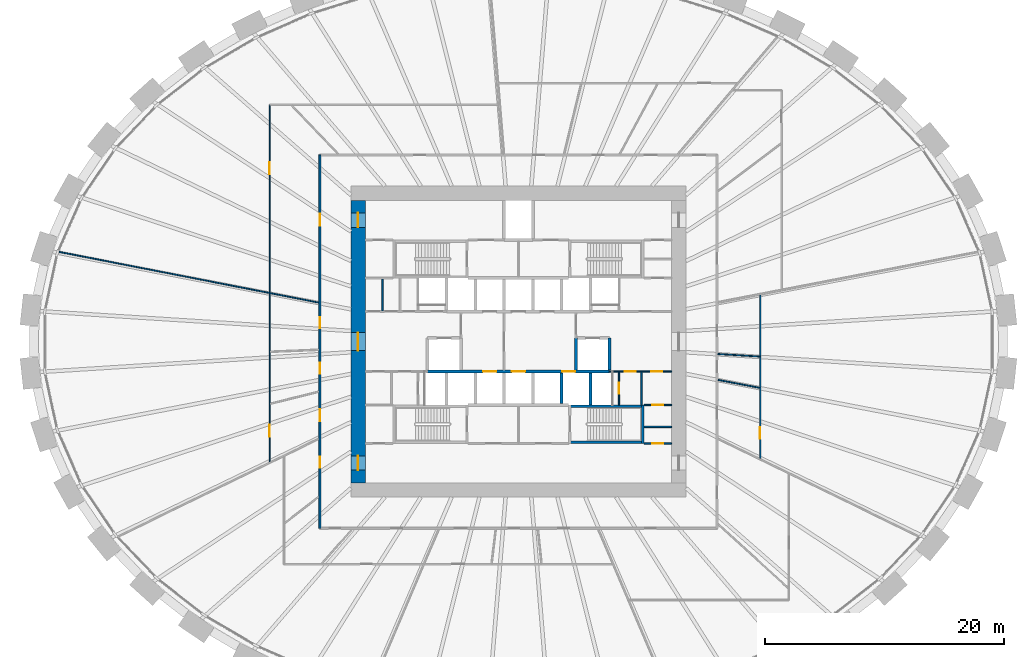
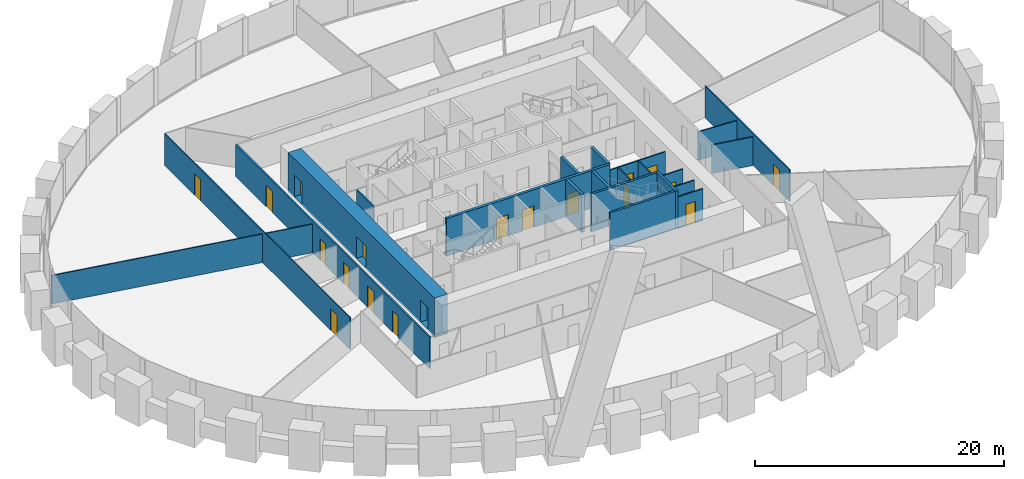
# One storey, part 7 of 11: 22 walls, 19 doors, 19 openings.
"""IFC4 building model written with IfcOpenShell, lengths in metres."""

from ifc_helpers import new_model, si_unit, direction, frame, frame_2d, origin, place, context, subcontext, project, spatial, rectangle, extrude, source, transform, mapped, material, layer, layer_set, type_object, element, fill, save


model = new_model("IFC4")

# Units and contexts
model_context = context("Model", 3, precision=1e-05, world=origin(), true_north=direction((0.0, 1.0)))
body_context = subcontext(model_context, "Body", "Model", "MODEL_VIEW")
ifc_project = project(units=[si_unit("LENGTHUNIT", "METRE"), si_unit("AREAUNIT", "SQUARE_METRE"), si_unit("VOLUMEUNIT", "CUBIC_METRE"), si_unit("PLANEANGLEUNIT", "RADIAN"), si_unit("MASSUNIT", "GRAM", prefix="KILO")], contexts=[model_context])

# Site, building, storey
site_placement = place(None, origin())
site = spatial("IfcSite", under=ifc_project, at=site_placement, CompositionType="ELEMENT")
building_placement = place(site_placement, origin())
building = spatial("IfcBuilding", under=site, at=building_placement, Name="Embergate Tower", CompositionType="ELEMENT")
storey_placement = place(building_placement, frame((0.0, 0.0, 73.699951171875)))
storey = spatial("IfcBuildingStorey", under=building, at=storey_placement, Name="L14", CompositionType="ELEMENT", Elevation=73.699951171875)

# Wall, openings, doors
ifc_material_1 = material(Name="Concrete C80", Category="concrete")
ifc_layer_1 = layer(ifc_material_1, 1.199951171875)
ifc_layer_set_1 = layer_set([ifc_layer_1], Name="Concrete C80")
wall_type_1 = type_object("IfcWallType", Name="Core outer wall C80 1200", PredefinedType="SHEAR", material=ifc_layer_set_1)
shared_shape_1 = source(origin(), body_context, "Body", "SweptSolid", [
    extrude(rectangle(XDim=23.60009765625, YDim=1.199951171875, at=frame_2d((11.800048828125, 0.0))), origin(), (0.0, 0.0, 1.0), 3.89990234375),
])
wall_1_placement = place(storey_placement, frame((-13.39990234375, -11.800048828125, -0.199951171875), z_axis=(0.0, 0.0, 1.0), x_axis=(0.0, 1.0, 0.0)))
wall_1 = element("IfcWall", 1, at=wall_1_placement, inside=storey, type_object=wall_type_1, Name="CW-L14-W", PredefinedType="SHEAR", context=body_context, shape_type="MappedRepresentation", body=[
    mapped(shared_shape_1, transform((0.0, 0.0, 0.0))),
])
shared_shape_2 = source(origin(), body_context, "Body", "SweptSolid", [
    extrude(rectangle(XDim=1.199951171875, YDim=2.10009765625, at=frame_2d((0.60009765625, 1.050048828125))), frame((0.0, 0.60986328125, 0.0), z_axis=(0.0, -1.0, 0.0), x_axis=(1.0, 0.0, 0.0)), (0.0, 0.0, 1.0), 1.219970703125),
])
opening_1_placement = place(wall_1_placement, frame((21.35009765625, 0.0, 0.199951171875)))
opening_1 = element("IfcOpeningElement", 2, at=opening_1_placement, cuts=wall_1, Name="Opening IF-1", PredefinedType="OPENING", context=body_context, shape_type="MappedRepresentation", body=[
    mapped(shared_shape_2, transform((0.0, 0.0, 0.0))),
])
opening_2_placement = place(wall_1_placement, frame((1.050048828125, 0.0, 0.199951171875)))
opening_2 = element("IfcOpeningElement", 3, at=opening_2_placement, cuts=wall_1, Name="Opening IF-1", PredefinedType="OPENING", context=body_context, shape_type="MappedRepresentation", body=[
    mapped(shared_shape_2, transform((0.0, 0.0, 0.0))),
])
shared_shape_3 = source(origin(), body_context, "Body", "SweptSolid", [
    extrude(rectangle(XDim=1.5, YDim=2.10009765625, at=frame_2d((0.75, 1.050048828125))), frame((0.0, 0.60986328125, 0.0), z_axis=(0.0, -1.0, 0.0), x_axis=(1.0, 0.0, 0.0)), (0.0, 0.0, 1.0), 1.219970703125),
])
opening_3_placement = place(wall_1_placement, frame((11.050048828125, 0.0, 0.199951171875)))
opening_3 = element("IfcOpeningElement", 4, at=opening_3_placement, cuts=wall_1, Name="Opening IF-3", PredefinedType="OPENING", context=body_context, shape_type="MappedRepresentation", body=[
    mapped(shared_shape_3, transform((0.0, 0.0, 0.0))),
])
ifc_material_2 = material(Name="Escape fire door 1200")
door_type_1 = type_object("IfcDoorType", Name="Escape fire door 1200", OperationType="SINGLE_SWING_LEFT", PredefinedType="DOOR", material=ifc_material_2)
shared_shape_4 = source(origin(), body_context, "Body", "SweptSolid", [
    extrude(rectangle(XDim=1.199951171875, YDim=2.10009765625, at=frame_2d((0.60009765625, 1.050048828125))), frame((0.0, 0.02490234375, 0.0), z_axis=(0.0, -1.0, 0.0), x_axis=(1.0, 0.0, 0.0)), (0.0, 0.0, 1.0), 0.050048828125),
])
door_1_placement = place(opening_1_placement, origin())
door_1 = element("IfcDoor", 5, at=door_1_placement, inside=storey, type_object=door_type_1, Name="IF-1 door", OperationType="SINGLE_SWING_RIGHT", OverallHeight=2.10009765625, OverallWidth=1.199951171875, PredefinedType="DOOR", context=body_context, shape_type="MappedRepresentation", body=[
    mapped(shared_shape_4, transform((0.0, 0.0, 0.0))),
])
fill(opening_1, door_1)
door_2_placement = place(opening_2_placement, origin())
door_2 = element("IfcDoor", 6, at=door_2_placement, inside=storey, type_object=door_type_1, Name="IF-1 door", OperationType="SINGLE_SWING_LEFT", OverallHeight=2.10009765625, OverallWidth=1.199951171875, PredefinedType="DOOR", context=body_context, shape_type="MappedRepresentation", body=[
    mapped(shared_shape_4, transform((0.0, 0.0, 0.0))),
])
fill(opening_2, door_2)
ifc_material_3 = material(Name="Lobby fire door pair 1500")
door_type_2 = type_object("IfcDoorType", Name="Lobby fire door pair 1500", OperationType="DOUBLE_DOOR_SINGLE_SWING", PredefinedType="DOOR", material=ifc_material_3)
shared_shape_5 = source(origin(), body_context, "Body", "SweptSolid", [
    extrude(rectangle(XDim=1.5, YDim=2.10009765625, at=frame_2d((0.75, 1.050048828125))), frame((0.0, 0.02490234375, 0.0), z_axis=(0.0, -1.0, 0.0), x_axis=(1.0, 0.0, 0.0)), (0.0, 0.0, 1.0), 0.050048828125),
])
door_3_placement = place(opening_3_placement, origin())
door_3 = element("IfcDoor", 7, at=door_3_placement, inside=storey, type_object=door_type_2, Name="IF-3 door", OperationType="DOUBLE_DOOR_SINGLE_SWING", OverallHeight=2.10009765625, OverallWidth=1.5, PredefinedType="DOOR", context=body_context, shape_type="MappedRepresentation", body=[
    mapped(shared_shape_5, transform((0.0, 0.0, 0.0))),
])
fill(opening_3, door_3)

# Walls
ifc_material_4 = material(Name="Concrete C50", Category="concrete")
ifc_layer_2 = layer(ifc_material_4, 0.25)
ifc_layer_set_2 = layer_set([ifc_layer_2], Name="Concrete C50")
wall_type_2 = type_object("IfcWallType", Name="Hoistway wall reinforced concrete 250", PredefinedType="SHEAR", material=ifc_layer_set_2)
shared_shape_6 = source(origin(), body_context, "Body", "SweptSolid", [
    extrude(rectangle(XDim=2.675048828125, YDim=0.25, at=frame_2d((1.33740234375, 0.0))), origin(), (0.0, 0.0, 1.0), 3.699951171875),
])
for number, where, z_axis, x_axis, name in (
    (8, (6.0, -5.300048828125, 0.0), (0.0, 0.0, 1.0), (0.0, 1.0, 0.0), "HW-1 wall"),
    (9, (4.800048828125, -2.375, 0.0), (0.0, 0.0, 1.0), (0.0, 1.0, 0.0), "HW-1 wall"),
    (10, (7.60009765625, -2.375, 0.0), (0.0, 0.0, 1.0), (0.0, 1.0, 0.0), "HW-1 wall"),
):
    element("IfcWall", number, at=place(storey_placement, frame(where, z_axis=z_axis, x_axis=x_axis)), inside=storey, type_object=wall_type_2, Name=name, PredefinedType="SHEAR", context=body_context, shape_type="MappedRepresentation", body=[
        mapped(shared_shape_6, transform((0.0, 0.0, 0.0))),
    ])
ifc_layer_3 = layer(ifc_material_4, 0.199951171875)
ifc_layer_set_3 = layer_set([ifc_layer_3], Name="Concrete C50")
wall_type_3 = type_object("IfcWallType", Name="Stair enclosure wall reinforced concrete 250", PredefinedType="SHEAR", material=ifc_layer_set_3)
shared_shape_7 = source(origin(), body_context, "Body", "SweptSolid", [
    extrude(rectangle(XDim=6.300048828125, YDim=0.199951171875, at=frame_2d((3.14990234375, 0.0))), origin(), (0.0, 0.0, 1.0), 3.699951171875),
])
for number, where, z_axis, x_axis, name in (
    (11, (4.199951171875, -5.39990234375, 0.0), (0.0, 0.0, 1.0), (1.0, 0.0, 0.0), "SE-1 wall"),
    (12, (4.199951171875, -8.39990234375, 0.0), (0.0, 0.0, 1.0), (1.0, 0.0, 0.0), "SE-1 wall"),
):
    element("IfcWall", number, at=place(storey_placement, frame(where, z_axis=z_axis, x_axis=x_axis)), inside=storey, type_object=wall_type_3, Name=name, PredefinedType="SHEAR", context=body_context, shape_type="MappedRepresentation", body=[
        mapped(shared_shape_7, transform((0.0, 0.0, 0.0))),
    ])

# Wall, opening, door
ifc_material_5 = material(Name="Core partition blockwork 120")
ifc_layer_4 = layer(ifc_material_5, 0.1201171875)
ifc_layer_set_4 = layer_set([ifc_layer_4], Name="Core partition blockwork 120")
wall_type_4 = type_object("IfcWallType", Name="Core partition blockwork 120", PredefinedType="PARTITIONING", material=ifc_layer_set_4)
shared_shape_8 = source(origin(), body_context, "Body", "SweptSolid", [
    extrude(rectangle(XDim=2.739990234375, YDim=0.1201171875, at=frame_2d((1.3701171875, 0.0))), origin(), (0.0, 0.0, 1.0), 3.10009765625),
])
wall_2_placement = place(storey_placement, frame((8.39990234375, -5.300048828125, 0.0), z_axis=(0.0, 0.0, 1.0), x_axis=(0.0, 1.0, 0.0)))
wall_2 = element("IfcWall", 13, at=wall_2_placement, inside=storey, type_object=wall_type_4, Name="IP-3 wall", PredefinedType="PARTITIONING", context=body_context, shape_type="MappedRepresentation", body=[
    mapped(shared_shape_8, transform((0.0, 0.0, 0.0))),
])
shared_shape_9 = source(origin(), body_context, "Body", "SweptSolid", [
    extrude(rectangle(XDim=0.89990234375, YDim=2.10009765625, at=frame_2d((0.449951171875, 1.050048828125))), frame((0.0, 0.070068359375, 0.0), z_axis=(0.0, -1.0, 0.0), x_axis=(1.0, 0.0, 0.0)), (0.0, 0.0, 1.0), 0.14013671875),
])
opening_4_placement = place(wall_2_placement, frame((0.949951171875, 0.0, 0.0)))
opening_4 = element("IfcOpeningElement", 14, at=opening_4_placement, cuts=wall_2, Name="Opening ID-1", PredefinedType="OPENING", context=body_context, shape_type="MappedRepresentation", body=[
    mapped(shared_shape_9, transform((0.0, 0.0, 0.0))),
])
ifc_material_6 = material(Name="Interior door 900")
door_type_3 = type_object("IfcDoorType", Name="Interior door 900", OperationType="SINGLE_SWING_LEFT", PredefinedType="DOOR", material=ifc_material_6)
shared_shape_10 = source(origin(), body_context, "Body", "SweptSolid", [
    extrude(rectangle(XDim=0.89990234375, YDim=2.10009765625, at=frame_2d((0.449951171875, 1.050048828125))), frame((0.0, 0.02490234375, 0.0), z_axis=(0.0, -1.0, 0.0), x_axis=(1.0, 0.0, 0.0)), (0.0, 0.0, 1.0), 0.050048828125),
])
door_4_placement = place(opening_4_placement, origin())
door_4 = element("IfcDoor", 15, at=door_4_placement, inside=storey, type_object=door_type_3, Name="ID-1 door", OperationType="SINGLE_SWING_LEFT", OverallHeight=2.10009765625, OverallWidth=0.89990234375, PredefinedType="DOOR", context=body_context, shape_type="MappedRepresentation", body=[
    mapped(shared_shape_10, transform((0.0, 0.0, 0.0))),
])
fill(opening_4, door_4)

# Walls
wall_3_placement = place(storey_placement, frame((10.2919921875, -5.300048828125, 0.0), z_axis=(0.0, 0.0, 1.0), x_axis=(0.0, 1.0, 0.0)))
element("IfcWall", 16, at=wall_3_placement, inside=storey, type_object=wall_type_4, Name="IP-3 wall", PredefinedType="PARTITIONING", context=body_context, shape_type="MappedRepresentation", body=[
    mapped(shared_shape_8, transform((0.0, 0.0, 0.0))),
])
shared_shape_11 = source(origin(), body_context, "Body", "SweptSolid", [
    extrude(rectangle(XDim=2.550048828125, YDim=0.25, at=frame_2d((1.27490234375, 0.0))), origin(), (0.0, 0.0, 1.0), 3.699951171875),
])
wall_4_placement = place(storey_placement, frame((3.60009765625, -5.175048828125, 0.0), z_axis=(0.0, 0.0, 1.0), x_axis=(0.0, 1.0, 0.0)))
element("IfcWall", 17, at=wall_4_placement, inside=storey, type_object=wall_type_2, Name="HW-1 wall", PredefinedType="SHEAR", context=body_context, shape_type="MappedRepresentation", body=[
    mapped(shared_shape_11, transform((0.0, 0.0, 0.0))),
])

# Wall, openings, doors
shared_shape_12 = source(origin(), body_context, "Body", "SweptSolid", [
    extrude(rectangle(XDim=15.2001953125, YDim=0.25, at=frame_2d((7.60009765625, 0.0))), origin(), (0.0, 0.0, 1.0), 3.699951171875),
])
wall_5_placement = place(storey_placement, frame((7.60009765625, -2.5, 0.0), z_axis=(0.0, 0.0, 1.0), x_axis=(-1.0, 0.0, 0.0)))
wall_5 = element("IfcWall", 18, at=wall_5_placement, inside=storey, type_object=wall_type_2, Name="HW-1 wall", PredefinedType="SHEAR", context=body_context, shape_type="MappedRepresentation", body=[
    mapped(shared_shape_12, transform((0.0, 0.0, 0.0))),
])
shared_shape_13 = source(origin(), body_context, "Body", "SweptSolid", [
    extrude(rectangle(XDim=1.10009765625, YDim=2.10009765625, at=frame_2d((0.550048828125, 1.050048828125))), frame((0.0, 0.135009765625, 0.0), z_axis=(0.0, -1.0, 0.0), x_axis=(1.0, 0.0, 0.0)), (0.0, 0.0, 1.0), 0.27001953125),
])
opening_5_placement = place(wall_5_placement, frame((9.449951171875, 0.0, 0.0)))
opening_5 = element("IfcOpeningElement", 19, at=opening_5_placement, cuts=wall_5, Name="Opening LD", PredefinedType="OPENING", context=body_context, shape_type="MappedRepresentation", body=[
    mapped(shared_shape_13, transform((0.0, 0.0, 0.0))),
])
opening_6_placement = place(wall_5_placement, frame((7.050048828125, 0.0, 0.0)))
opening_6 = element("IfcOpeningElement", 20, at=opening_6_placement, cuts=wall_5, Name="Opening LD", PredefinedType="OPENING", context=body_context, shape_type="MappedRepresentation", body=[
    mapped(shared_shape_13, transform((0.0, 0.0, 0.0))),
])
opening_7_placement = place(wall_5_placement, frame((2.85009765625, 0.0, 0.0)))
opening_7 = element("IfcOpeningElement", 21, at=opening_7_placement, cuts=wall_5, Name="Opening LD", PredefinedType="OPENING", context=body_context, shape_type="MappedRepresentation", body=[
    mapped(shared_shape_13, transform((0.0, 0.0, 0.0))),
])
ifc_material_7 = material(Name="Landing door sliding 1100")
door_type_4 = type_object("IfcDoorType", Name="Landing door sliding 1100", OperationType="SLIDING_TO_LEFT", PredefinedType="DOOR", material=ifc_material_7)
shared_shape_14 = source(origin(), body_context, "Body", "SweptSolid", [
    extrude(rectangle(XDim=1.10009765625, YDim=2.10009765625, at=frame_2d((0.550048828125, 1.050048828125))), frame((0.0, 0.02490234375, 0.0), z_axis=(0.0, -1.0, 0.0), x_axis=(1.0, 0.0, 0.0)), (0.0, 0.0, 1.0), 0.050048828125),
])
door_5_placement = place(opening_5_placement, origin())
door_5 = element("IfcDoor", 22, at=door_5_placement, inside=storey, type_object=door_type_4, Name="LD door", OperationType="SLIDING_TO_LEFT", OverallHeight=2.10009765625, OverallWidth=1.10009765625, PredefinedType="DOOR", context=body_context, shape_type="MappedRepresentation", body=[
    mapped(shared_shape_14, transform((0.0, 0.0, 0.0))),
])
fill(opening_5, door_5)
door_6_placement = place(opening_6_placement, origin())
door_6 = element("IfcDoor", 23, at=door_6_placement, inside=storey, type_object=door_type_4, Name="LD door", OperationType="SLIDING_TO_LEFT", OverallHeight=2.10009765625, OverallWidth=1.10009765625, PredefinedType="DOOR", context=body_context, shape_type="MappedRepresentation", body=[
    mapped(shared_shape_14, transform((0.0, 0.0, 0.0))),
])
fill(opening_6, door_6)
door_7_placement = place(opening_7_placement, origin())
door_7 = element("IfcDoor", 24, at=door_7_placement, inside=storey, type_object=door_type_4, Name="LD door", OperationType="SLIDING_TO_LEFT", OverallHeight=2.10009765625, OverallWidth=1.10009765625, PredefinedType="DOOR", context=body_context, shape_type="MappedRepresentation", body=[
    mapped(shared_shape_14, transform((0.0, 0.0, 0.0))),
])
fill(opening_7, door_7)

shared_shape_15 = source(origin(), body_context, "Body", "SweptSolid", [
    extrude(rectangle(XDim=5.199951171875, YDim=0.1201171875, at=frame_2d((2.60009765625, 0.0))), origin(), (0.0, 0.0, 1.0), 3.10009765625),
])
wall_6_placement = place(storey_placement, frame((12.800048828125, -2.5, 0.0), z_axis=(0.0, 0.0, 1.0), x_axis=(-1.0, 0.0, 0.0)))
wall_6 = element("IfcWall", 25, at=wall_6_placement, inside=storey, type_object=wall_type_4, Name="IP-3 wall", PredefinedType="PARTITIONING", context=body_context, shape_type="MappedRepresentation", body=[
    mapped(shared_shape_15, transform((0.0, 0.0, 0.0))),
])
opening_8_placement = place(wall_6_placement, frame((3.00390625, 0.0, 0.0)))
opening_8 = element("IfcOpeningElement", 26, at=opening_8_placement, cuts=wall_6, Name="Opening ID-1", PredefinedType="OPENING", context=body_context, shape_type="MappedRepresentation", body=[
    mapped(shared_shape_9, transform((0.0, 0.0, 0.0))),
])
opening_9_placement = place(wall_6_placement, frame((0.803955078125, 0.0, 0.0)))
opening_9 = element("IfcOpeningElement", 27, at=opening_9_placement, cuts=wall_6, Name="Opening ID-1", PredefinedType="OPENING", context=body_context, shape_type="MappedRepresentation", body=[
    mapped(shared_shape_9, transform((0.0, 0.0, 0.0))),
])
door_8_placement = place(opening_8_placement, origin())
door_8 = element("IfcDoor", 28, at=door_8_placement, inside=storey, type_object=door_type_3, Name="ID-1 door", OperationType="SINGLE_SWING_RIGHT", OverallHeight=2.10009765625, OverallWidth=0.89990234375, PredefinedType="DOOR", context=body_context, shape_type="MappedRepresentation", body=[
    mapped(shared_shape_10, transform((0.0, 0.0, 0.0))),
])
fill(opening_8, door_8)
door_9_placement = place(opening_9_placement, origin())
door_9 = element("IfcDoor", 29, at=door_9_placement, inside=storey, type_object=door_type_3, Name="ID-1 door", OperationType="SINGLE_SWING_RIGHT", OverallHeight=2.10009765625, OverallWidth=0.89990234375, PredefinedType="DOOR", context=body_context, shape_type="MappedRepresentation", body=[
    mapped(shared_shape_10, transform((0.0, 0.0, 0.0))),
])
fill(opening_9, door_9)

# Wall
shared_shape_16 = source(origin(), body_context, "Body", "SweptSolid", [
    extrude(rectangle(XDim=3.199951171875, YDim=0.199951171875, at=frame_2d((1.60009765625, 0.0))), origin(), (0.0, 0.0, 1.0), 3.699951171875),
])
wall_7_placement = place(storey_placement, frame((10.39990234375, -8.5, 0.0), z_axis=(0.0, 0.0, 1.0), x_axis=(0.0, 1.0, 0.0)))
element("IfcWall", 30, at=wall_7_placement, inside=storey, type_object=wall_type_3, Name="SE-1 wall", PredefinedType="SHEAR", context=body_context, shape_type="MappedRepresentation", body=[
    mapped(shared_shape_16, transform((0.0, 0.0, 0.0))),
])

# Wall, opening, door
shared_shape_17 = source(origin(), body_context, "Body", "SweptSolid", [
    extrude(rectangle(XDim=2.300048828125, YDim=0.1201171875, at=frame_2d((1.14990234375, 0.0))), origin(), (0.0, 0.0, 1.0), 3.10009765625),
])
wall_8_placement = place(storey_placement, frame((12.800048828125, -8.5, 0.0), z_axis=(0.0, 0.0, 1.0), x_axis=(-1.0, 0.0, 0.0)))
wall_8 = element("IfcWall", 31, at=wall_8_placement, inside=storey, type_object=wall_type_4, Name="IP-3 wall", PredefinedType="PARTITIONING", context=body_context, shape_type="MappedRepresentation", body=[
    mapped(shared_shape_17, transform((0.0, 0.0, 0.0))),
])
opening_10_placement = place(wall_8_placement, frame((0.699951171875, 0.0, 0.0)))
opening_10 = element("IfcOpeningElement", 32, at=opening_10_placement, cuts=wall_8, Name="Opening ID-1", PredefinedType="OPENING", context=body_context, shape_type="MappedRepresentation", body=[
    mapped(shared_shape_9, transform((0.0, 0.0, 0.0))),
])
door_10_placement = place(opening_10_placement, origin())
door_10 = element("IfcDoor", 33, at=door_10_placement, inside=storey, type_object=door_type_3, Name="ID-1 door", OperationType="SINGLE_SWING_LEFT", OverallHeight=2.10009765625, OverallWidth=0.89990234375, PredefinedType="DOOR", context=body_context, shape_type="MappedRepresentation", body=[
    mapped(shared_shape_10, transform((0.0, 0.0, 0.0))),
])
fill(opening_10, door_10)

wall_9_placement = place(storey_placement, frame((10.5, -5.300048828125, 0.0), z_axis=(0.0, 0.0, 1.0), x_axis=(1.0, 0.0, 0.0)))
wall_9 = element("IfcWall", 34, at=wall_9_placement, inside=storey, type_object=wall_type_4, Name="IP-3 wall", PredefinedType="PARTITIONING", context=body_context, shape_type="MappedRepresentation", body=[
    mapped(shared_shape_17, transform((0.0, 0.0, 0.0))),
])
opening_11_placement = place(wall_9_placement, frame((0.699951171875, 0.0, 0.0)))
opening_11 = element("IfcOpeningElement", 35, at=opening_11_placement, cuts=wall_9, Name="Opening ID-1", PredefinedType="OPENING", context=body_context, shape_type="MappedRepresentation", body=[
    mapped(shared_shape_9, transform((0.0, 0.0, 0.0))),
])
door_11_placement = place(opening_11_placement, origin())
door_11 = element("IfcDoor", 36, at=door_11_placement, inside=storey, type_object=door_type_3, Name="ID-1 door", OperationType="SINGLE_SWING_RIGHT", OverallHeight=2.10009765625, OverallWidth=0.89990234375, PredefinedType="DOOR", context=body_context, shape_type="MappedRepresentation", body=[
    mapped(shared_shape_10, transform((0.0, 0.0, 0.0))),
])
fill(opening_11, door_11)

# Walls
wall_10_placement = place(storey_placement, frame((12.800048828125, -7.1240234375, 0.0), z_axis=(0.0, 0.0, 1.0), x_axis=(-1.0, 0.0, 0.0)))
element("IfcWall", 37, at=wall_10_placement, inside=storey, type_object=wall_type_4, Name="IP-3 wall", PredefinedType="PARTITIONING", context=body_context, shape_type="MappedRepresentation", body=[
    mapped(shared_shape_17, transform((0.0, 0.0, 0.0))),
])
shared_shape_18 = source(origin(), body_context, "Body", "SweptSolid", [
    extrude(rectangle(XDim=2.679931640625, YDim=0.1201171875, at=frame_2d((1.33984375, 0.0))), origin(), (0.0, 0.0, 1.0), 3.10009765625),
])
wall_11_placement = place(storey_placement, frame((-11.347900390625, 2.56005859375, 0.0), z_axis=(0.0, 0.0, 1.0), x_axis=(0.0, 1.0, 0.0)))
element("IfcWall", 38, at=wall_11_placement, inside=storey, type_object=wall_type_4, Name="IP-3 wall", PredefinedType="PARTITIONING", context=body_context, shape_type="MappedRepresentation", body=[
    mapped(shared_shape_18, transform((0.0, 0.0, 0.0))),
])
ifc_material_8 = material(Name="Partition dry-lined 100")
ifc_layer_5 = layer(ifc_material_8, 0.10009765625)
ifc_layer_set_5 = layer_set([ifc_layer_5], Name="Partition dry-lined 100")
wall_type_5 = type_object("IfcWallType", Name="Partition dry-lined 100", PredefinedType="PARTITIONING", material=ifc_layer_set_5)
shared_shape_19 = source(origin(), body_context, "Body", "SweptSolid", [
    extrude(rectangle(XDim=3.519775390625, YDim=0.10009765625, at=frame_2d((1.759765625, 0.0))), origin(), (0.0, 0.0, 1.0), 2.800048828125),
])
wall_12_placement = place(storey_placement, frame((16.68408203125, -3.197998046875, 0.0), z_axis=(0.0, 0.0, 1.0), x_axis=(0.982148648971, -0.188106436159, 0.0)))
element("IfcWall", 39, at=wall_12_placement, inside=storey, type_object=wall_type_5, Name="IP-1 wall", PredefinedType="PARTITIONING", context=body_context, shape_type="MappedRepresentation", body=[
    mapped(shared_shape_19, transform((0.0, 0.0, 0.0))),
])
shared_shape_20 = source(origin(), body_context, "Body", "SweptSolid", [
    extrude(rectangle(XDim=3.4814453125, YDim=0.10009765625, at=frame_2d((1.74072265625, 0.0))), origin(), (0.0, 0.0, 1.0), 2.800048828125),
])
wall_13_placement = place(storey_placement, frame((16.675048828125, -1.033935546875, 0.0), z_axis=(0.0, 0.0, 1.0), x_axis=(0.9980897811, -0.061780165612, 0.0)))
element("IfcWall", 40, at=wall_13_placement, inside=storey, type_object=wall_type_5, Name="IP-1 wall", PredefinedType="PARTITIONING", context=body_context, shape_type="MappedRepresentation", body=[
    mapped(shared_shape_20, transform((0.0, 0.0, 0.0))),
])
shared_shape_21 = source(origin(), body_context, "Body", "SweptSolid", [
    extrude(rectangle(XDim=22.212158203125, YDim=0.10009765625, at=frame_2d((11.10595703125, 0.0))), origin(), (0.0, 0.0, 1.0), 2.800048828125),
])
wall_14_placement = place(storey_placement, frame((-38.485107421875, 7.51904296875, 0.0), z_axis=(0.0, 0.0, 1.0), x_axis=(0.981445163178, -0.191743035531, 0.0)))
element("IfcWall", 41, at=wall_14_placement, inside=storey, type_object=wall_type_5, Name="IP-1 wall", PredefinedType="PARTITIONING", context=body_context, shape_type="MappedRepresentation", body=[
    mapped(shared_shape_21, transform((0.0, 0.0, 0.0))),
])

# Wall, openings, doors
ifc_material_9 = material(Name="Corridor wall dry-lined 150 wet")
ifc_layer_6 = layer(ifc_material_9, 0.14990234375)
ifc_layer_set_6 = layer_set([ifc_layer_6], Name="Corridor wall dry-lined 150 wet")
wall_type_6 = type_object("IfcWallType", Name="Corridor wall dry-lined 150 wet", PredefinedType="PLUMBINGWALL", material=ifc_layer_set_6)
shared_shape_22 = source(origin(), body_context, "Body", "SweptSolid", [
    extrude(rectangle(XDim=31.2001953125, YDim=0.14990234375, at=frame_2d((15.60009765625, 0.0))), origin(), (0.0, 0.0, 1.0), 3.10009765625),
])
wall_15_placement = place(storey_placement, frame((-16.60009765625, -15.60009765625, 0.0), z_axis=(0.0, 0.0, 1.0), x_axis=(0.0, 1.0, 0.0)))
wall_15 = element("IfcWall", 42, at=wall_15_placement, inside=storey, type_object=wall_type_6, Name="IP-2 wall", PredefinedType="PLUMBINGWALL", context=body_context, shape_type="MappedRepresentation", body=[
    mapped(shared_shape_22, transform((0.0, 0.0, 0.0))),
])
shared_shape_23 = source(origin(), body_context, "Body", "SweptSolid", [
    extrude(rectangle(XDim=0.89990234375, YDim=2.10009765625, at=frame_2d((0.449951171875, 1.050048828125))), frame((0.0, 0.0849609375, 0.0), z_axis=(0.0, -1.0, 0.0), x_axis=(1.0, 0.0, 0.0)), (0.0, 0.0, 1.0), 0.169921875),
])
opening_12_placement = place(wall_15_placement, frame((5.06005859375, 0.0, 0.0)))
opening_12 = element("IfcOpeningElement", 43, at=opening_12_placement, cuts=wall_15, Name="Opening IF-1c", PredefinedType="OPENING", context=body_context, shape_type="MappedRepresentation", body=[
    mapped(shared_shape_23, transform((0.0, 0.0, 0.0))),
])
shared_shape_24 = source(origin(), body_context, "Body", "SweptSolid", [
    extrude(rectangle(XDim=1.0, YDim=2.10009765625, at=frame_2d((0.5, 1.050048828125))), frame((0.0, 0.0849609375, 0.0), z_axis=(0.0, -1.0, 0.0), x_axis=(1.0, 0.0, 0.0)), (0.0, 0.0, 1.0), 0.169921875),
])
opening_13_placement = place(wall_15_placement, frame((25.27490234375, 0.0, 0.0)))
opening_13 = element("IfcOpeningElement", 44, at=opening_13_placement, cuts=wall_15, Name="Opening ID-2", PredefinedType="OPENING", context=body_context, shape_type="MappedRepresentation", body=[
    mapped(shared_shape_24, transform((0.0, 0.0, 0.0))),
])
opening_14_placement = place(wall_15_placement, frame((16.722900390625, 0.0, 0.0)))
opening_14 = element("IfcOpeningElement", 45, at=opening_14_placement, cuts=wall_15, Name="Opening IF-1c", PredefinedType="OPENING", context=body_context, shape_type="MappedRepresentation", body=[
    mapped(shared_shape_23, transform((0.0, 0.0, 0.0))),
])
opening_15_placement = place(wall_15_placement, frame((12.929931640625, 0.0, 0.0)))
opening_15 = element("IfcOpeningElement", 46, at=opening_15_placement, cuts=wall_15, Name="Opening IF-1c", PredefinedType="OPENING", context=body_context, shape_type="MappedRepresentation", body=[
    mapped(shared_shape_23, transform((0.0, 0.0, 0.0))),
])
opening_16_placement = place(wall_15_placement, frame((8.9560546875, 0.0, 0.0)))
opening_16 = element("IfcOpeningElement", 47, at=opening_16_placement, cuts=wall_15, Name="Opening ID-2", PredefinedType="OPENING", context=body_context, shape_type="MappedRepresentation", body=[
    mapped(shared_shape_24, transform((0.0, 0.0, 0.0))),
])
ifc_material_10 = material(Name="Escape fire door 900")
door_type_5 = type_object("IfcDoorType", Name="Escape fire door 900", OperationType="SINGLE_SWING_LEFT", PredefinedType="DOOR", material=ifc_material_10)
door_12_placement = place(opening_12_placement, origin())
door_12 = element("IfcDoor", 48, at=door_12_placement, inside=storey, type_object=door_type_5, Name="IF-1 door", OperationType="SINGLE_SWING_LEFT", OverallHeight=2.10009765625, OverallWidth=0.89990234375, PredefinedType="DOOR", context=body_context, shape_type="MappedRepresentation", body=[
    mapped(shared_shape_10, transform((0.0, 0.0, 0.0))),
])
fill(opening_12, door_12)
door_13_placement = place(opening_14_placement, origin())
door_13 = element("IfcDoor", 49, at=door_13_placement, inside=storey, type_object=door_type_5, Name="IF-1 door", OperationType="SINGLE_SWING_RIGHT", OverallHeight=2.10009765625, OverallWidth=0.89990234375, PredefinedType="DOOR", context=body_context, shape_type="MappedRepresentation", body=[
    mapped(shared_shape_10, transform((0.0, 0.0, 0.0))),
])
fill(opening_14, door_13)
door_14_placement = place(opening_15_placement, origin())
door_14 = element("IfcDoor", 50, at=door_14_placement, inside=storey, type_object=door_type_5, Name="IF-1 door", OperationType="SINGLE_SWING_LEFT", OverallHeight=2.10009765625, OverallWidth=0.89990234375, PredefinedType="DOOR", context=body_context, shape_type="MappedRepresentation", body=[
    mapped(shared_shape_10, transform((0.0, 0.0, 0.0))),
])
fill(opening_15, door_14)
ifc_material_11 = material(Name="Interior door 1000")
door_type_6 = type_object("IfcDoorType", Name="Interior door 1000", OperationType="SINGLE_SWING_LEFT", PredefinedType="DOOR", material=ifc_material_11)
shared_shape_25 = source(origin(), body_context, "Body", "SweptSolid", [
    extrude(rectangle(XDim=1.0, YDim=2.10009765625, at=frame_2d((0.5, 1.050048828125))), frame((0.0, 0.02490234375, 0.0), z_axis=(0.0, -1.0, 0.0), x_axis=(1.0, 0.0, 0.0)), (0.0, 0.0, 1.0), 0.050048828125),
])
door_15_placement = place(opening_13_placement, origin())
door_15 = element("IfcDoor", 51, at=door_15_placement, inside=storey, type_object=door_type_6, Name="ID-2 door", OperationType="SINGLE_SWING_RIGHT", OverallHeight=2.10009765625, OverallWidth=1.0, PredefinedType="DOOR", context=body_context, shape_type="MappedRepresentation", body=[
    mapped(shared_shape_25, transform((0.0, 0.0, 0.0))),
])
fill(opening_13, door_15)
door_16_placement = place(opening_16_placement, origin())
door_16 = element("IfcDoor", 52, at=door_16_placement, inside=storey, type_object=door_type_6, Name="ID-2 door", OperationType="SINGLE_SWING_LEFT", OverallHeight=2.10009765625, OverallWidth=1.0, PredefinedType="DOOR", context=body_context, shape_type="MappedRepresentation", body=[
    mapped(shared_shape_25, transform((0.0, 0.0, 0.0))),
])
fill(opening_16, door_16)

# Wall, opening, door
shared_shape_26 = source(origin(), body_context, "Body", "SweptSolid", [
    extrude(rectangle(XDim=13.640869140625, YDim=0.10009765625, at=frame_2d((6.8203125, 0.0))), origin(), (0.0, 0.0, 1.0), 3.10009765625),
])
wall_16_placement = place(storey_placement, frame((20.199951171875, -9.7548828125, 0.0), z_axis=(0.0, 0.0, 1.0), x_axis=(0.0, 1.0, 0.0)))
wall_16 = element("IfcWall", 53, at=wall_16_placement, inside=storey, type_object=wall_type_5, Name="IP-1 wall", PredefinedType="PARTITIONING", context=body_context, shape_type="MappedRepresentation", body=[
    mapped(shared_shape_26, transform((0.0, 0.0, 0.0))),
])
shared_shape_27 = source(origin(), body_context, "Body", "SweptSolid", [
    extrude(rectangle(XDim=1.0, YDim=2.10009765625, at=frame_2d((0.5, 1.050048828125))), frame((0.0, 0.06005859375, 0.0), z_axis=(0.0, -1.0, 0.0), x_axis=(1.0, 0.0, 0.0)), (0.0, 0.0, 1.0), 0.1201171875),
])
opening_17_placement = place(wall_16_placement, frame((1.616455078125, 0.0, 0.0)))
opening_17 = element("IfcOpeningElement", 54, at=opening_17_placement, cuts=wall_16, Name="Opening ID-2", PredefinedType="OPENING", context=body_context, shape_type="MappedRepresentation", body=[
    mapped(shared_shape_27, transform((0.0, 0.0, 0.0))),
])
door_17_placement = place(opening_17_placement, origin())
door_17 = element("IfcDoor", 55, at=door_17_placement, inside=storey, type_object=door_type_6, Name="ID-2 door", OperationType="SINGLE_SWING_LEFT", OverallHeight=2.10009765625, OverallWidth=1.0, PredefinedType="DOOR", context=body_context, shape_type="MappedRepresentation", body=[
    mapped(shared_shape_25, transform((0.0, 0.0, 0.0))),
])
fill(opening_17, door_17)

# Wall, openings, doors
shared_shape_28 = source(origin(), body_context, "Body", "SweptSolid", [
    extrude(rectangle(XDim=29.84716796875, YDim=0.10009765625, at=frame_2d((14.923583984375, 0.0))), origin(), (0.0, 0.0, 1.0), 3.10009765625),
])
wall_17_placement = place(storey_placement, frame((-20.800048828125, 19.800048828125, 0.0), z_axis=(0.0, 0.0, 1.0), x_axis=(0.0, -1.0, 0.0)))
wall_17 = element("IfcWall", 56, at=wall_17_placement, inside=storey, type_object=wall_type_5, Name="IP-1 wall", PredefinedType="PARTITIONING", context=body_context, shape_type="MappedRepresentation", body=[
    mapped(shared_shape_28, transform((0.0, 0.0, 0.0))),
])
opening_18_placement = place(wall_17_placement, frame((4.823974609375, 0.0, 0.0)))
opening_18 = element("IfcOpeningElement", 57, at=opening_18_placement, cuts=wall_17, Name="Opening ID-2", PredefinedType="OPENING", context=body_context, shape_type="MappedRepresentation", body=[
    mapped(shared_shape_27, transform((0.0, 0.0, 0.0))),
])
opening_19_placement = place(wall_17_placement, frame((26.737060546875, 0.0, 0.0)))
opening_19 = element("IfcOpeningElement", 58, at=opening_19_placement, cuts=wall_17, Name="Opening ID-2", PredefinedType="OPENING", context=body_context, shape_type="MappedRepresentation", body=[
    mapped(shared_shape_27, transform((0.0, 0.0, 0.0))),
])
door_18_placement = place(opening_18_placement, origin())
door_18 = element("IfcDoor", 59, at=door_18_placement, inside=storey, type_object=door_type_6, Name="ID-2 door", OperationType="SINGLE_SWING_RIGHT", OverallHeight=2.10009765625, OverallWidth=1.0, PredefinedType="DOOR", context=body_context, shape_type="MappedRepresentation", body=[
    mapped(shared_shape_25, transform((0.0, 0.0, 0.0))),
])
fill(opening_18, door_18)
door_19_placement = place(opening_19_placement, origin())
door_19 = element("IfcDoor", 60, at=door_19_placement, inside=storey, type_object=door_type_6, Name="ID-2 door", OperationType="SINGLE_SWING_LEFT", OverallHeight=2.10009765625, OverallWidth=1.0, PredefinedType="DOOR", context=body_context, shape_type="MappedRepresentation", body=[
    mapped(shared_shape_25, transform((0.0, 0.0, 0.0))),
])
fill(opening_19, door_19)

save(model, "model.ifc")
